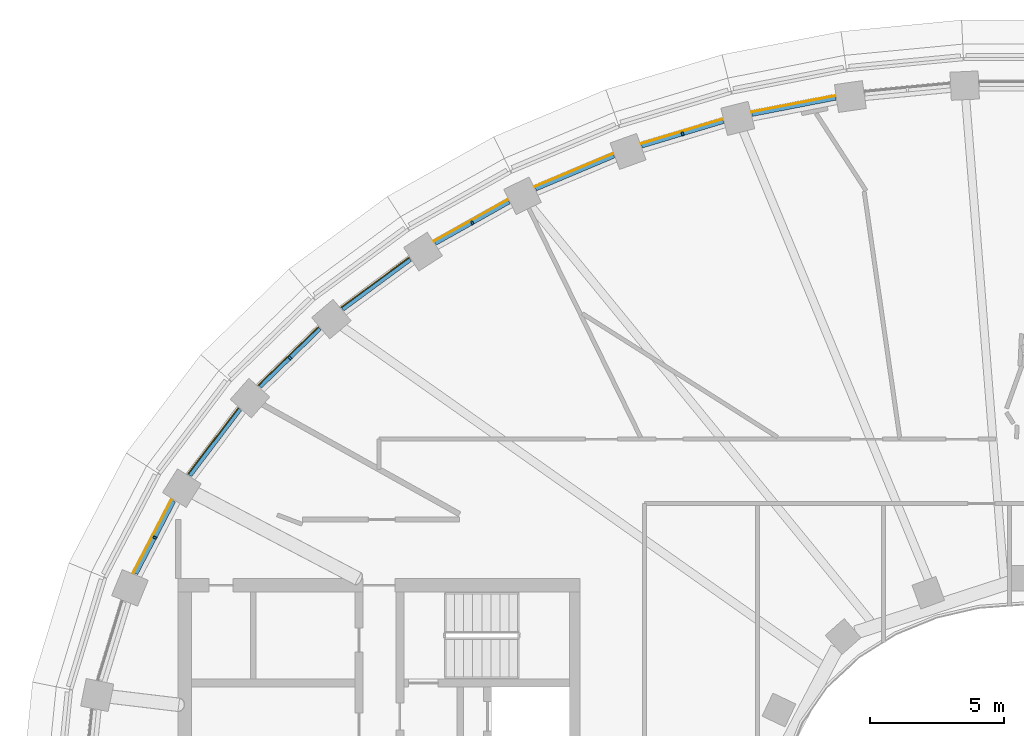
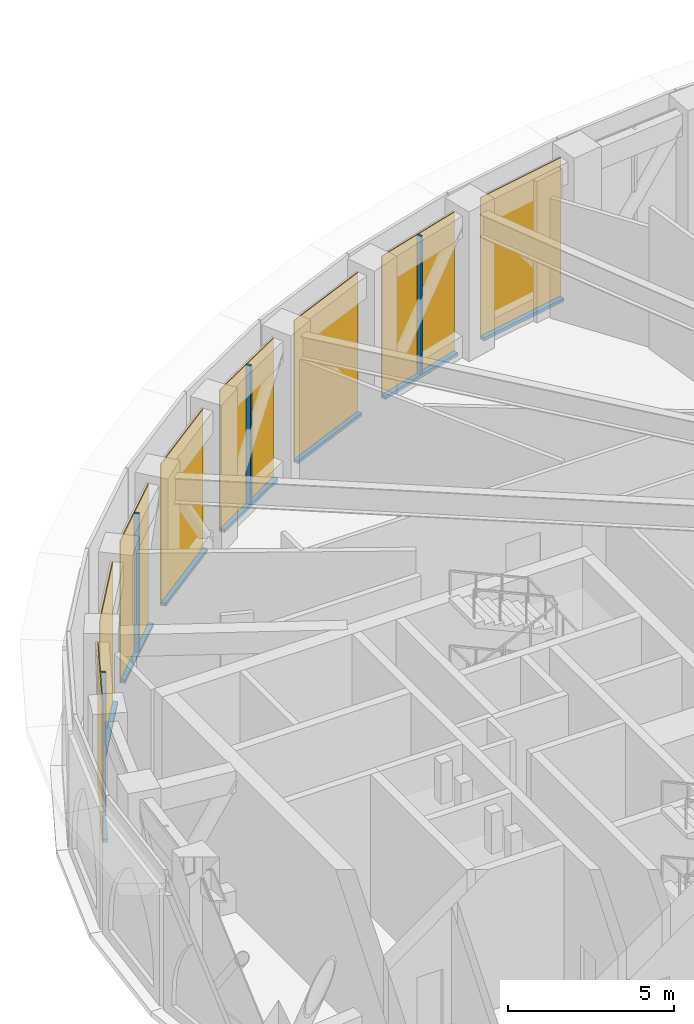
# One storey, part 14 of 23: 12 members, 8 curtain walls.
"""IFC4 building model written with IfcOpenShell, lengths in metres."""

from ifc_helpers import new_model, si_unit, direction, frame, origin, origin_2d, place, context, subcontext, project, spatial, polyline, rectangle, outline, extrude, material, layer, layer_set, material_profile, profile_set, type_object, element, aggregate, save


model = new_model("IFC4")

# Units and contexts
model_context = context("Model", 3, precision=1e-05, world=origin(), true_north=direction((0.0, 1.0)))
body_context = subcontext(model_context, "Body", "Model", "MODEL_VIEW")
ifc_project = project(units=[si_unit("LENGTHUNIT", "METRE"), si_unit("AREAUNIT", "SQUARE_METRE"), si_unit("VOLUMEUNIT", "CUBIC_METRE"), si_unit("PLANEANGLEUNIT", "RADIAN"), si_unit("MASSUNIT", "GRAM", prefix="KILO")], contexts=[model_context])

# Member
ifc_material_1 = material(Name="Aluminium 6063-T6 black anodised", Category="aluminium")
ifc_material_profile = material_profile(ifc_material_1, rectangle(XDim=0.14990234375, YDim=0.080078125, at=origin_2d()), Name="150x80")
ifc_profile_set = profile_set([ifc_material_profile], Name="Aluminium 6063-T6 black anodised")
member_type_1 = type_object("IfcMemberType", Name="ENV-MULLION-B-150", PredefinedType="MULLION", material=ifc_profile_set)
site_placement = place(None, origin())
building_placement = place(site_placement, origin())
storey_placement = place(building_placement, frame((0.0, 0.0, 285.5)))
member_1_placement = place(storey_placement, frame((-12.673828125, 25.098388671875, 0.1201171875), z_axis=(0.0, 0.0, 1.0), x_axis=(0.28817445525, -0.957577925467, 0.0)))
member_1 = element("IfcMember", 1, at=member_1_placement, type_object=member_type_1, Name="Mullion B chord 15", PredefinedType="MULLION", context=body_context, shape_type="SweptSolid", body=[
    extrude(rectangle(XDim=0.14990234375, YDim=0.080078125, at=origin_2d()), origin(), (0.0, 0.0, 1.0), 5.079833984375),
])

member_2_placement = place(storey_placement, frame((-20.525634765625, 21.780029296875, 0.1201171875), z_axis=(0.0, 0.0, 1.0), x_axis=(0.48942643941, -0.872044586249, 0.0)))
member_2 = element("IfcMember", 2, at=member_2_placement, type_object=member_type_1, Name="Mullion B chord 17", PredefinedType="MULLION", context=body_context, shape_type="SweptSolid", body=[
    extrude(rectangle(XDim=0.14990234375, YDim=0.080078125, at=origin_2d()), origin(), (0.0, 0.0, 1.0), 5.079833984375),
])

member_3_placement = place(storey_placement, frame((-27.3310546875, 16.73583984375, 0.1201171875), z_axis=(0.0, 0.0, 1.0), x_axis=(0.696842125038, -0.717224548362, 0.0)))
member_3 = element("IfcMember", 3, at=member_3_placement, type_object=member_type_1, Name="Mullion B chord 19", PredefinedType="MULLION", context=body_context, shape_type="SweptSolid", body=[
    extrude(rectangle(XDim=0.14990234375, YDim=0.080078125, at=origin_2d()), origin(), (0.0, 0.0, 1.0), 5.079833984375),
])

member_4_placement = place(storey_placement, frame((-32.37353515625, 10.029541015625, 0.1201171875), z_axis=(0.0, 0.0, 1.0), x_axis=(0.88673501754, -0.462278064231, 0.0)))
member_4 = element("IfcMember", 4, at=member_4_placement, type_object=member_type_1, Name="Mullion B chord 21", PredefinedType="MULLION", context=body_context, shape_type="SweptSolid", body=[
    extrude(rectangle(XDim=0.14990234375, YDim=0.080078125, at=origin_2d()), origin(), (0.0, 0.0, 1.0), 5.079833984375),
])

ifc_material_2 = material(Name="Aluminium 6063-T6 black anodised", Category="aluminium")
member_type_2 = type_object("IfcMemberType", Name="ENV-TRANSOM-B", PredefinedType="USERDEFINED", material=ifc_material_2)
member_5_placement = place(storey_placement, origin())
member_5 = element("IfcMember", 5, at=member_5_placement, type_object=member_type_2, Name="Transom B radial 14-15", ObjectType="TRANSOM", PredefinedType="USERDEFINED", context=body_context, shape_type="SweptSolid", body=[
    extrude(outline(polyline([(-6.9658203125, 26.502685546875), (-10.10107421875, 25.893310546875), (-10.06494140625, 25.74755859375), (-6.9443359375, 26.354248046875), (-6.9658203125, 26.502685546875)])), origin(), (0.0, 0.0, 1.0), 0.1201171875),
])

member_6_placement = place(storey_placement, origin())
member_6 = element("IfcMember", 6, at=member_6_placement, type_object=member_type_2, Name="Transom B radial 15-16", ObjectType="TRANSOM", PredefinedType="USERDEFINED", context=body_context, shape_type="SweptSolid", body=[
    extrude(outline(polyline([(-11.168701171875, 25.629638671875), (-14.220947265625, 24.711181640625), (-14.170166015625, 24.56982421875), (-11.1328125, 25.48388671875), (-11.168701171875, 25.629638671875)])), origin(), (0.0, 0.0, 1.0), 0.1201171875),
])

member_7_placement = place(storey_placement, origin())
member_7 = element("IfcMember", 7, at=member_7_placement, type_object=member_type_2, Name="Transom B radial 16-17", ObjectType="TRANSOM", PredefinedType="USERDEFINED", context=body_context, shape_type="SweptSolid", body=[
    extrude(outline(polyline([(-15.25830078125, 24.338134765625), (-18.1875, 23.106201171875), (-18.12158203125, 22.97119140625), (-15.20751953125, 24.19677734375), (-15.25830078125, 24.338134765625)])), origin(), (0.0, 0.0, 1.0), 0.1201171875),
])

member_8_placement = place(storey_placement, origin())
member_8 = element("IfcMember", 8, at=member_8_placement, type_object=member_type_2, Name="Transom B radial 17-18", ObjectType="TRANSOM", PredefinedType="USERDEFINED", context=body_context, shape_type="SweptSolid", body=[
    extrude(outline(polyline([(-19.18115234375, 22.62060546875), (-21.94091796875, 21.071533203125), (-21.859375, 20.9453125), (-19.115234375, 22.485595703125), (-19.18115234375, 22.62060546875)])), origin(), (0.0, 0.0, 1.0), 0.1201171875),
])

member_9_placement = place(storey_placement, origin())
member_9 = element("IfcMember", 9, at=member_9_placement, type_object=member_type_2, Name="Transom B radial 18-19", ObjectType="TRANSOM", PredefinedType="USERDEFINED", context=body_context, shape_type="SweptSolid", body=[
    extrude(outline(polyline([(-22.874267578125, 20.46923828125), (-25.40869140625, 18.602294921875), (-25.3115234375, 18.48779296875), (-22.792724609375, 20.343017578125), (-22.874267578125, 20.46923828125)])), origin(), (0.0, 0.0, 1.0), 0.1201171875),
])

member_10_placement = place(storey_placement, origin())
member_10 = element("IfcMember", 10, at=member_10_placement, type_object=member_type_2, Name="Transom B radial 19-20", ObjectType="TRANSOM", PredefinedType="USERDEFINED", context=body_context, shape_type="SweptSolid", body=[
    extrude(outline(polyline([(-26.260498046875, 17.880615234375), (-28.50341796875, 15.701416015625), (-28.390869140625, 15.601806640625), (-26.163330078125, 17.765869140625), (-26.260498046875, 17.880615234375)])), origin(), (0.0, 0.0, 1.0), 0.1201171875),
])

member_11_placement = place(storey_placement, origin())
member_11 = element("IfcMember", 11, at=member_11_placement, type_object=member_type_2, Name="Transom B radial 20-21", ObjectType="TRANSOM", PredefinedType="USERDEFINED", context=body_context, shape_type="SweptSolid", body=[
    extrude(outline(polyline([(-29.247802734375, 14.860107421875), (-31.122314453125, 12.386474609375), (-30.9951171875, 12.305908203125), (-29.135009765625, 14.760498046875), (-29.247802734375, 14.860107421875)])), origin(), (0.0, 0.0, 1.0), 0.1201171875),
])

member_12_placement = place(storey_placement, origin())
member_12 = element("IfcMember", 12, at=member_12_placement, type_object=member_type_2, Name="Transom B radial 21-22", ObjectType="TRANSOM", PredefinedType="USERDEFINED", context=body_context, shape_type="SweptSolid", body=[
    extrude(outline(polyline([(-31.727294921875, 11.431396484375), (-33.15087890625, 8.70068359375), (-33.011474609375, 8.6435546875), (-31.60009765625, 11.350830078125), (-31.727294921875, 11.431396484375)])), origin(), (0.0, 0.0, 1.0), 0.1201171875),
])

# Site, building, storey
site = spatial("IfcSite", under=ifc_project, at=site_placement, CompositionType="ELEMENT")
building = spatial("IfcBuilding", under=site, at=building_placement, Name="Noorbagh Ring Tower", CompositionType="ELEMENT")
storey = spatial("IfcBuildingStorey", under=building, at=storey_placement, Name="L61", CompositionType="ELEMENT", Elevation=285.5)

# Curtain wall
ifc_material_3 = material(Name="Glass dark tinted laminated", Category="glass")
ifc_layer = layer(ifc_material_3, 0.031982421875)
ifc_layer_set = layer_set([ifc_layer], Name="Glass dark tinted laminated")
curtain_wall_type = type_object("IfcCurtainWallType", Name="ENV-CW-B", PredefinedType="NOTDEFINED", material=ifc_layer_set)
curtain_wall_1_placement = place(storey_placement, origin())
curtain_wall_1 = element("IfcCurtainWall", 13, at=curtain_wall_1_placement, inside=storey, type_object=curtain_wall_type, Name="Curtain wall B R14", PredefinedType="NOTDEFINED", context=body_context, shape_type="SweptSolid", body=[
    extrude(outline(polyline([(-6.970458984375, 26.53466796875), (-10.108642578125, 25.924560546875), (-10.10107421875, 25.893310546875), (-6.9658203125, 26.502685546875), (-6.970458984375, 26.53466796875)])), origin(), (0.0, 0.0, 1.0), 5.199951171875),
])

aggregate(curtain_wall_1, [member_5])

curtain_wall_2_placement = place(storey_placement, origin())
curtain_wall_2 = element("IfcCurtainWall", 14, at=curtain_wall_2_placement, inside=storey, type_object=curtain_wall_type, Name="Curtain wall B R15", PredefinedType="NOTDEFINED", context=body_context, shape_type="SweptSolid", body=[
    extrude(outline(polyline([(-11.176513671875, 25.66064453125), (-14.231689453125, 24.7412109375), (-14.220947265625, 24.711181640625), (-11.168701171875, 25.629638671875), (-11.176513671875, 25.66064453125)])), origin(), (0.0, 0.0, 1.0), 5.199951171875),
])

aggregate(curtain_wall_2, [member_1, member_6])

curtain_wall_3_placement = place(storey_placement, origin())
curtain_wall_3 = element("IfcCurtainWall", 15, at=curtain_wall_3_placement, inside=storey, type_object=curtain_wall_type, Name="Curtain wall B R16", PredefinedType="NOTDEFINED", context=body_context, shape_type="SweptSolid", body=[
    extrude(outline(polyline([(-15.269287109375, 24.3681640625), (-18.20166015625, 23.135009765625), (-18.1875, 23.106201171875), (-15.25830078125, 24.338134765625), (-15.269287109375, 24.3681640625)])), origin(), (0.0, 0.0, 1.0), 5.199951171875),
])

aggregate(curtain_wall_3, [member_7])

curtain_wall_4_placement = place(storey_placement, origin())
curtain_wall_4 = element("IfcCurtainWall", 16, at=curtain_wall_4_placement, inside=storey, type_object=curtain_wall_type, Name="Curtain wall B R17", PredefinedType="NOTDEFINED", context=body_context, shape_type="SweptSolid", body=[
    extrude(outline(polyline([(-19.1953125, 22.6494140625), (-21.958251953125, 21.0986328125), (-21.94091796875, 21.071533203125), (-19.18115234375, 22.62060546875), (-19.1953125, 22.6494140625)])), origin(), (0.0, 0.0, 1.0), 5.199951171875),
])

aggregate(curtain_wall_4, [member_2, member_8])

curtain_wall_5_placement = place(storey_placement, origin())
curtain_wall_5 = element("IfcCurtainWall", 17, at=curtain_wall_5_placement, inside=storey, type_object=curtain_wall_type, Name="Curtain wall B R18", PredefinedType="NOTDEFINED", context=body_context, shape_type="SweptSolid", body=[
    extrude(outline(polyline([(-22.8916015625, 20.49609375), (-25.429443359375, 18.626953125), (-25.40869140625, 18.602294921875), (-22.874267578125, 20.46923828125), (-22.8916015625, 20.49609375)])), origin(), (0.0, 0.0, 1.0), 5.199951171875),
])

aggregate(curtain_wall_5, [member_9])

curtain_wall_6_placement = place(storey_placement, origin())
curtain_wall_6 = element("IfcCurtainWall", 18, at=curtain_wall_6_placement, inside=storey, type_object=curtain_wall_type, Name="Curtain wall B R19", PredefinedType="NOTDEFINED", context=body_context, shape_type="SweptSolid", body=[
    extrude(outline(polyline([(-26.28125, 17.905029296875), (-28.527587890625, 15.72265625), (-28.50341796875, 15.701416015625), (-26.260498046875, 17.880615234375), (-26.28125, 17.905029296875)])), origin(), (0.0, 0.0, 1.0), 5.199951171875),
])

aggregate(curtain_wall_6, [member_3, member_10])

curtain_wall_7_placement = place(storey_placement, origin())
curtain_wall_7 = element("IfcCurtainWall", 19, at=curtain_wall_7_placement, inside=storey, type_object=curtain_wall_type, Name="Curtain wall B R20", PredefinedType="NOTDEFINED", context=body_context, shape_type="SweptSolid", body=[
    extrude(outline(polyline([(-29.271728515625, 14.88134765625), (-31.1494140625, 12.403564453125), (-31.122314453125, 12.386474609375), (-29.247802734375, 14.860107421875), (-29.271728515625, 14.88134765625)])), origin(), (0.0, 0.0, 1.0), 5.199951171875),
])

aggregate(curtain_wall_7, [member_11])

curtain_wall_8_placement = place(storey_placement, origin())
curtain_wall_8 = element("IfcCurtainWall", 20, at=curtain_wall_8_placement, inside=storey, type_object=curtain_wall_type, Name="Curtain wall B R21", PredefinedType="NOTDEFINED", context=body_context, shape_type="SweptSolid", body=[
    extrude(outline(polyline([(-31.75439453125, 11.448486328125), (-33.1806640625, 8.712890625), (-33.15087890625, 8.70068359375), (-31.727294921875, 11.431396484375), (-31.75439453125, 11.448486328125)])), origin(), (0.0, 0.0, 1.0), 5.199951171875),
])

aggregate(curtain_wall_8, [member_4, member_12])

save(model, "model.ifc")
